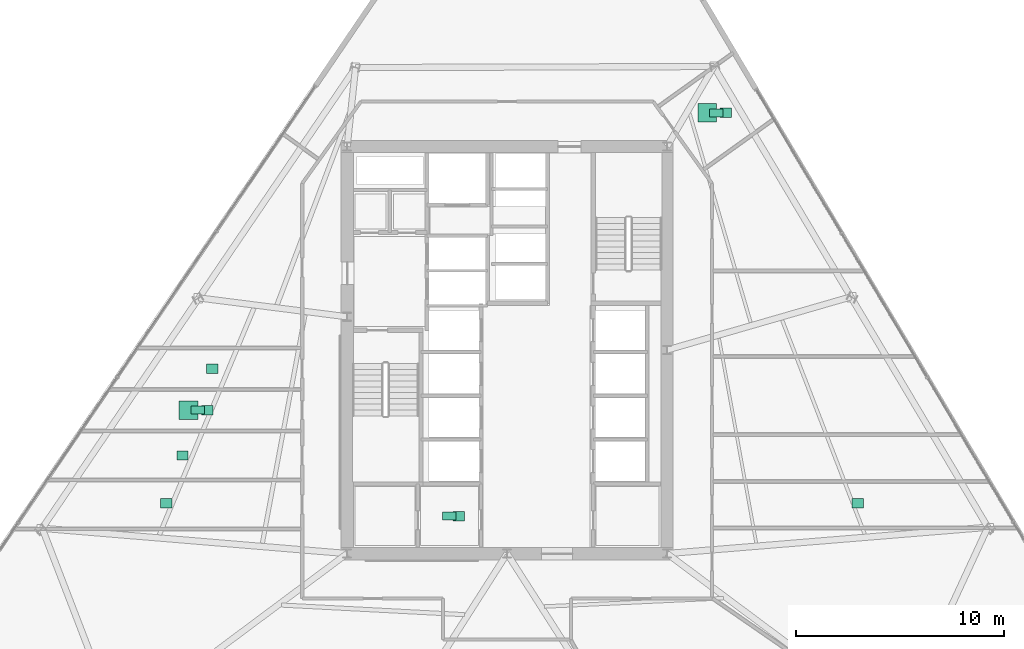
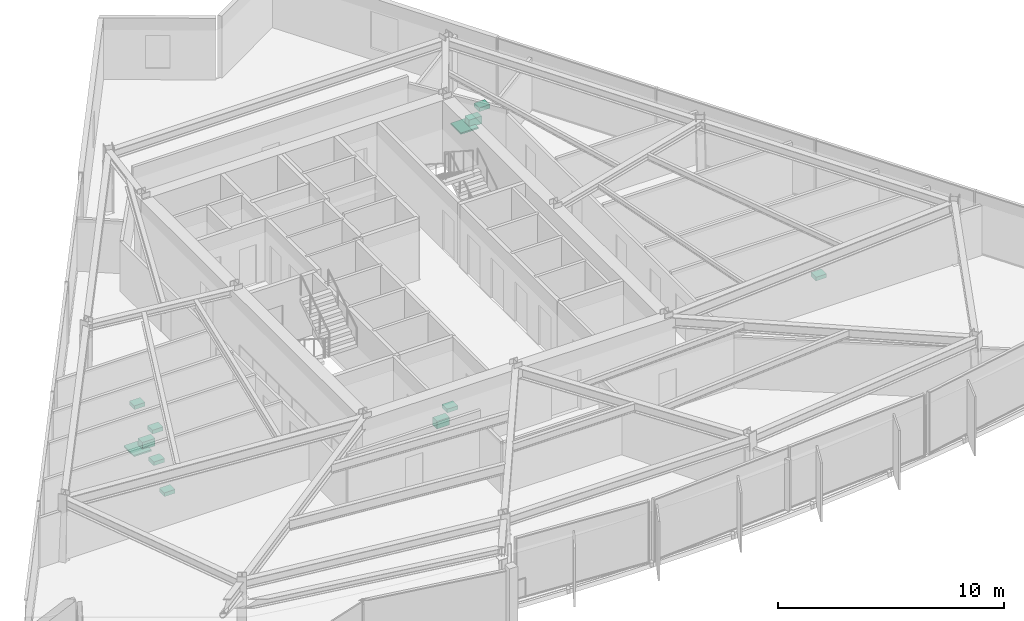
# One storey, part 15 of 15: 12 sanitary terminals.
"""IFC4 building model written with IfcOpenShell, lengths in metres."""

from ifc_helpers import new_model, si_unit, direction, frame, origin, origin_2d, place, context, subcontext, project, spatial, rectangle, extrude, material, type_object, element, save


model = new_model("IFC4")

# Units and contexts
model_context = context("Model", 3, precision=1e-05, world=origin(), true_north=direction((0.0, 1.0)))
body_context = subcontext(model_context, "Body", "Model", "MODEL_VIEW")
ifc_project = project(units=[si_unit("LENGTHUNIT", "METRE"), si_unit("AREAUNIT", "SQUARE_METRE"), si_unit("VOLUMEUNIT", "CUBIC_METRE"), si_unit("PLANEANGLEUNIT", "RADIAN"), si_unit("MASSUNIT", "GRAM", prefix="KILO")], contexts=[model_context])

# Site, building, storey
site_placement = place(None, origin())
site = spatial("IfcSite", under=ifc_project, at=site_placement, CompositionType="ELEMENT")
building_placement = place(site_placement, origin())
building = spatial("IfcBuilding", under=site, at=building_placement, Name="Savorim Split Tower", CompositionType="ELEMENT")
storey_placement = place(building_placement, frame((0.0, 0.0, 104.10009765625)))
storey = spatial("IfcBuildingStorey", under=building, at=storey_placement, Name="L27", CompositionType="ELEMENT", Elevation=104.10009765625)

# Sanitary terminals
ifc_material = material(Name="Vitreous China Sanitaryware")
sanitary_terminal_type_1 = type_object("IfcSanitaryTerminalType", Name="SAN-SHW-900", PredefinedType="SHOWER", material=ifc_material)
for number, where, z_axis, x_axis, name in (
    (1, (-15.335205078125, -2.49462890625, -0.000244140625), (0.0, 0.0, 1.0), (1.0, 0.0, 0.0), "L27 Shared Bathroom Shower"),
    (2, (9.631591796875, 11.82080078125, -0.000244140625), (0.0, 0.0, 1.0), (1.0, 0.0, 0.0), "L27 Shared Bathroom Shower"),
):
    element("IfcSanitaryTerminal", number, at=place(storey_placement, frame(where, z_axis=z_axis, x_axis=x_axis)), inside=storey, type_object=sanitary_terminal_type_1, Name=name, PredefinedType="SHOWER", context=body_context, shape_type="SweptSolid", body=[
        extrude(rectangle(XDim=0.89990234375, YDim=0.89990234375, at=origin_2d()), origin(), (0.0, 0.0, 1.0), 0.080078125),
    ])
sanitary_terminal_type_2 = type_object("IfcSanitaryTerminalType", Name="SAN-WC-PAN", PredefinedType="TOILETPAN", material=ifc_material)
for number, where, z_axis, x_axis, name in (
    (3, (-2.77490234375, -7.60009765625, 0.0), (0.0, 0.0, 1.0), (1.0, 0.0, 0.0), "L27 Accessible WC WC Pan"),
    (4, (-14.88525390625, -2.49462890625, 0.0), (0.0, 0.0, 1.0), (1.0, 0.0, 0.0), "L27 Shared Bathroom WC Pan"),
    (5, (10.08154296875, 11.82080078125, 0.0), (0.0, 0.0, 1.0), (1.0, 0.0, 0.0), "L27 Shared Bathroom WC Pan"),
):
    element("IfcSanitaryTerminal", number, at=place(storey_placement, frame(where, z_axis=z_axis, x_axis=x_axis)), inside=storey, type_object=sanitary_terminal_type_2, Name=name, PredefinedType="TOILETPAN", context=body_context, shape_type="SweptSolid", body=[
        extrude(rectangle(XDim=0.64990234375, YDim=0.3798828125, at=origin_2d()), origin(), (0.0, 0.0, 1.0), 0.419921875),
    ])
sanitary_terminal_type_3 = type_object("IfcSanitaryTerminalType", Name="SAN-WHB-550", PredefinedType="WASHHANDBASIN", material=ifc_material)
for number, where, z_axis, x_axis, name in (
    (6, (-2.324951171875, -7.60009765625, 0.7197265625), (0.0, 0.0, 1.0), (1.0, 0.0, 0.0), "L27 Accessible WC Washhand Basin"),
    (7, (-14.20556640625, -0.49658203125, 0.75), (0.0, 0.0, 1.0), (1.0, 0.0, 0.0), "L27 Shared Kitchen Utility Sink"),
    (8, (-14.435302734375, -2.49462890625, 0.7197265625), (0.0, 0.0, 1.0), (1.0, 0.0, 0.0), "L27 Shared Bathroom Washhand Basin"),
    (9, (-15.626953125, -4.67578125, 0.75), (0.0, 0.0, 1.0), (1.0, 0.0, 0.0), "L27 Community Laundry Room Utility Sink"),
    (10, (-16.409423828125, -6.9755859375, 0.75), (0.0, 0.0, 1.0), (1.0, 0.0, 0.0), "L27 Community Laundry Room Utility Sink"),
    (11, (16.882080078125, -6.985107421875, 0.75), (0.0, 0.0, 1.0), (1.0, 0.0, 0.0), "L27 Community Laundry Room Utility Sink"),
    (12, (10.531494140625, 11.82080078125, 0.7197265625), (0.0, 0.0, 1.0), (1.0, 0.0, 0.0), "L27 Shared Bathroom Washhand Basin"),
):
    element("IfcSanitaryTerminal", number, at=place(storey_placement, frame(where, z_axis=z_axis, x_axis=x_axis)), inside=storey, type_object=sanitary_terminal_type_3, Name=name, PredefinedType="WASHHANDBASIN", context=body_context, shape_type="SweptSolid", body=[
        extrude(rectangle(XDim=0.550048828125, YDim=0.449951171875, at=origin_2d()), origin(), (0.0, 0.0, 1.0), 0.199951171875),
    ])

save(model, "model.ifc")
